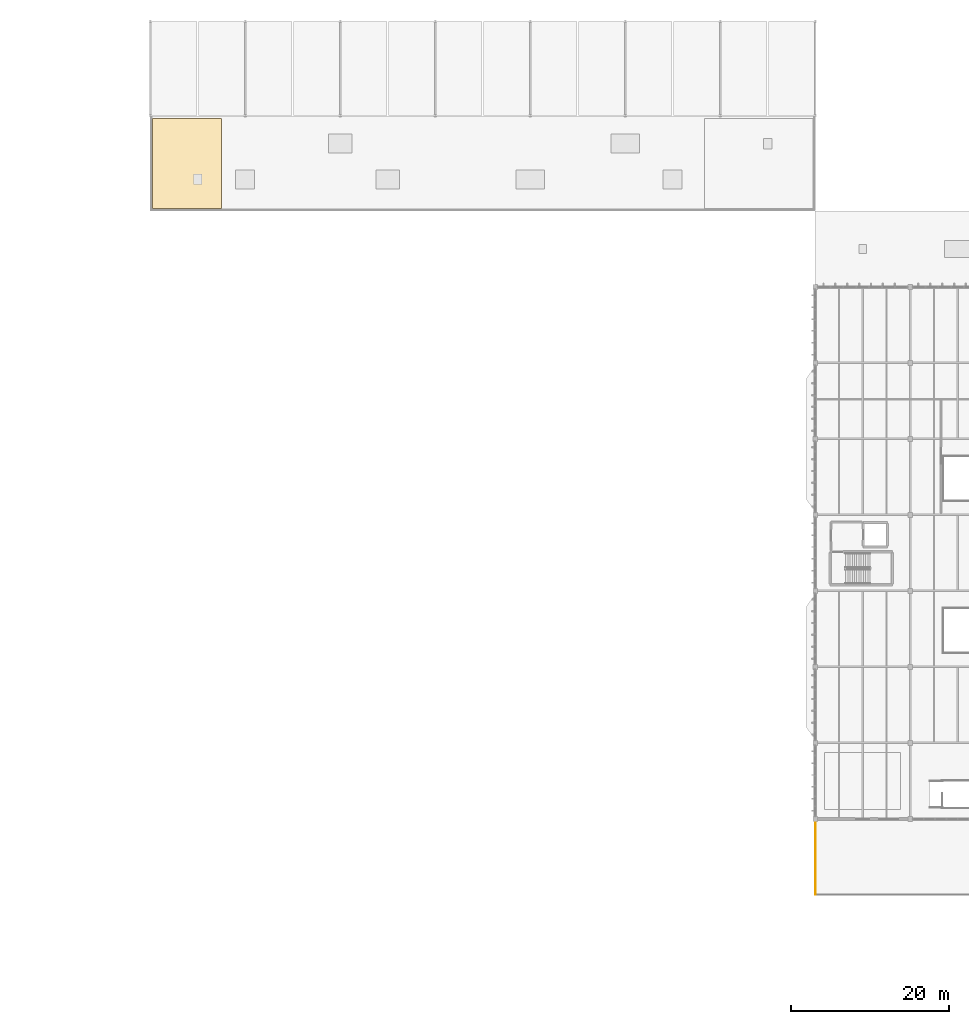
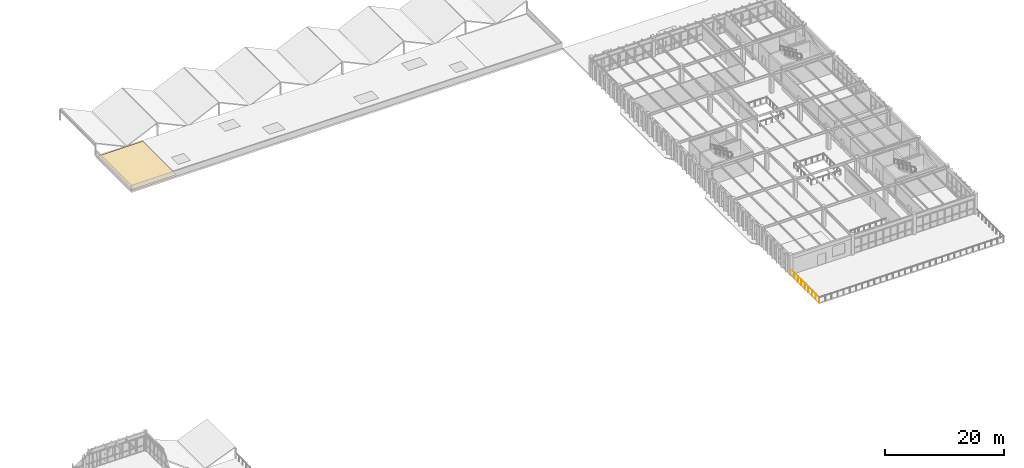
# One storey, part 77 of 83: 1 covering, 1 railing.
"""IFC4 building model written with IfcOpenShell, lengths in metres."""

from ifc_helpers import new_model, si_unit, direction, frame, origin, origin_2d, place, context, subcontext, project, spatial, polyline, circle, outline, extrude, material, layer, layer_set, type_object, element, save


model = new_model("IFC4")

# Units and contexts
model_context = context("Model", 3, precision=1e-05, world=origin(), true_north=direction((0.0, 1.0)))
body_context = subcontext(model_context, "Body", "Model", "MODEL_VIEW")
ifc_project = project(units=[si_unit("LENGTHUNIT", "METRE"), si_unit("AREAUNIT", "SQUARE_METRE"), si_unit("VOLUMEUNIT", "CUBIC_METRE"), si_unit("PLANEANGLEUNIT", "RADIAN"), si_unit("MASSUNIT", "GRAM", prefix="KILO")], contexts=[model_context])

# Site, building, storey
site_placement = place(None, origin())
site = spatial("IfcSite", under=ifc_project, at=site_placement, CompositionType="ELEMENT")
building_placement = place(site_placement, origin())
building = spatial("IfcBuilding", under=site, at=building_placement, Name="Pandanus Reach Market Hall", CompositionType="ELEMENT")
storey_placement = place(building_placement, frame((0.0, 0.0, 10.199951171875)))
storey = spatial("IfcBuildingStorey", under=building, at=storey_placement, Name="L02", CompositionType="ELEMENT", Elevation=10.199951171875)

# Railing
ifc_material_1 = material(Name="Galvanised steel Grade 350 (350 MPa)", Category="steel")
railing_type = type_object("IfcRailingType", Name="BL-EXT-110", PredefinedType="BALUSTRADE", material=ifc_material_1)
railing_placement = place(storey_placement, frame((144.04833984375, 19.18701171875, 0.0)))
element("IfcRailing", 1, at=railing_placement, inside=storey, type_object=railing_type, Name="Terrace balustrade L02.15", PredefinedType="BALUSTRADE", context=body_context, shape_type="SweptSolid", body=[
    extrude(circle(Radius=0.02392578125, at=origin_2d()), frame((0.0, 0.0, 1.076171875), z_axis=(0.0, -1.0, 0.0), x_axis=(1.0, 0.0, 0.0)), (0.0, 0.0, 1.0), 9.57421875),
    extrude(circle(Radius=0.02099609375, at=origin_2d()), origin(), (0.0, 0.0, 1.0), 1.052001953125),
    extrude(circle(Radius=0.02099609375, at=origin_2d()), frame((0.0, -1.19677734375, 0.0)), (0.0, 0.0, 1.0), 1.052001953125),
    extrude(circle(Radius=0.02099609375, at=origin_2d()), frame((0.0, -2.3935546875, 0.0)), (0.0, 0.0, 1.0), 1.052001953125),
    extrude(circle(Radius=0.02099609375, at=origin_2d()), frame((0.0, -3.59033203125, 0.0)), (0.0, 0.0, 1.0), 1.052001953125),
    extrude(circle(Radius=0.02099609375, at=origin_2d()), frame((0.0, -4.787109375, 0.0)), (0.0, 0.0, 1.0), 1.052001953125),
    extrude(circle(Radius=0.02099609375, at=origin_2d()), frame((0.0, -5.98388671875, 0.0)), (0.0, 0.0, 1.0), 1.052001953125),
    extrude(circle(Radius=0.02099609375, at=origin_2d()), frame((0.0, -7.1806640625, 0.0)), (0.0, 0.0, 1.0), 1.052001953125),
    extrude(circle(Radius=0.02099609375, at=origin_2d()), frame((0.0, -8.37744140625, 0.0)), (0.0, 0.0, 1.0), 1.052001953125),
    extrude(circle(Radius=0.02099609375, at=origin_2d()), frame((0.0, -9.57421875, 0.0)), (0.0, 0.0, 1.0), 1.052001953125),
])

# Covering
ifc_material_2 = material(Name="Reflective EPDM waterproof roofing membrane")
ifc_layer = layer(ifc_material_2, 0.02490234375, Name="RFG-MEM-25")
ifc_layer_set = layer_set([ifc_layer], Name="Reflective EPDM waterproof roofing membrane")
covering_type = type_object("IfcCoveringType", Name="RFG-MEM-25", PredefinedType="ROOFING", material=ifc_layer_set)
covering_placement = place(storey_placement, origin())
element("IfcCovering", 2, at=covering_placement, inside=storey, type_object=covering_type, Name="Roof membrane covering L02.3", PredefinedType="ROOFING", context=body_context, shape_type="SweptSolid", body=[
    extrude(outline(polyline([(60.300048828125, 96.300048828125), (69.0, 96.300048828125), (69.0, 107.699951171875), (60.300048828125, 107.699951171875), (60.300048828125, 96.300048828125)])), origin(), (0.0, 0.0, 1.0), 0.025146484375),
])

save(model, "model.ifc")
